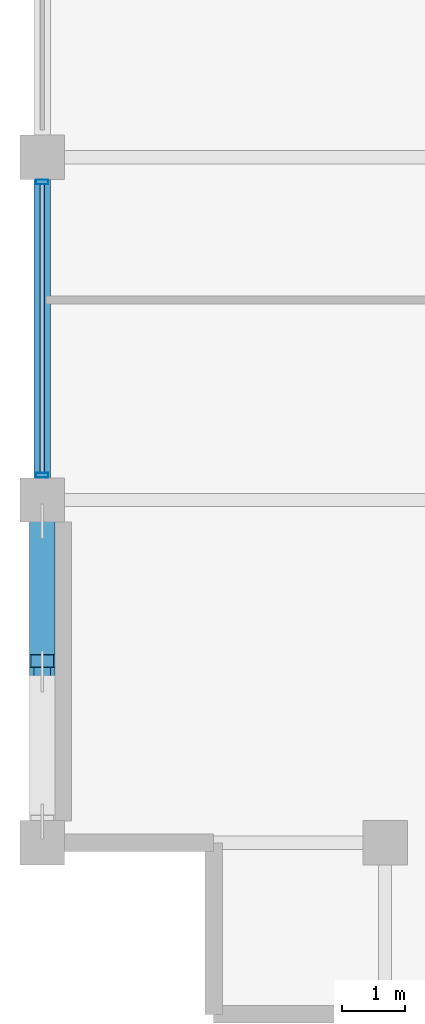
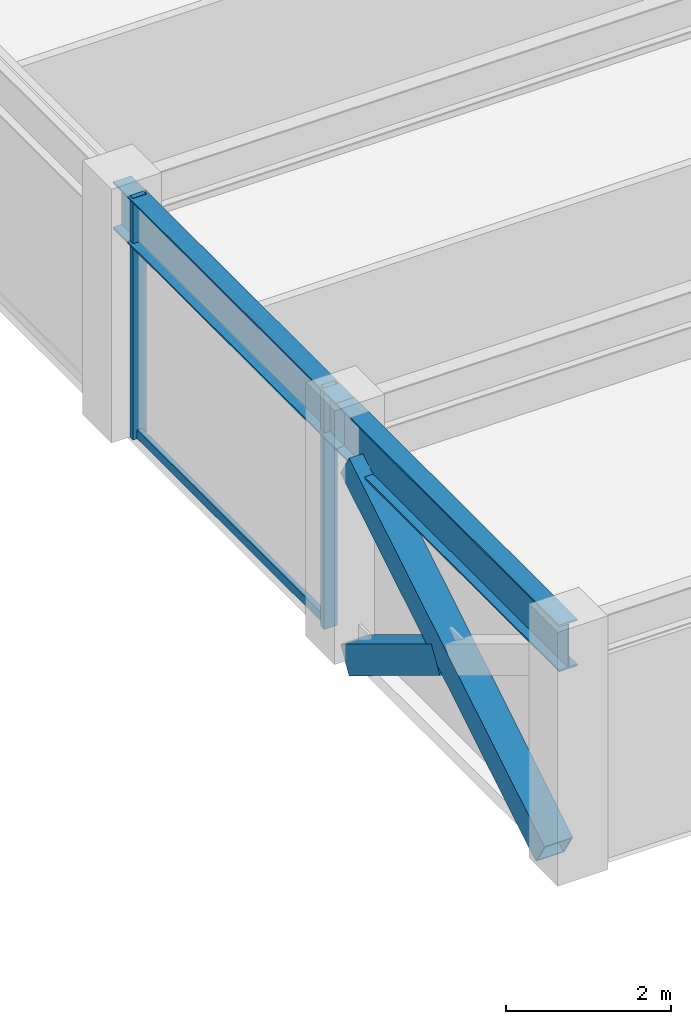
# One storey, part 4 of 31: 5 members, 2 beams, 1 element without a shape of its own.
"""IFC4 building model written with IfcOpenShell, lengths in metres."""

from ifc_helpers import new_model, si_unit, direction, frame, origin, origin_2d, place, context, subcontext, project, spatial, hollow_rectangle, i_section, extrude, material, layer, layer_set, material_profile, profile_set, type_object, element, aggregate, save


model = new_model("IFC4")

# Units and contexts
model_context = context("Model", 3, precision=1e-05, world=origin(), true_north=direction((0.0, 1.0)))
body_context = subcontext(model_context, "Body", "Model", "MODEL_VIEW")
ifc_project = project(units=[si_unit("LENGTHUNIT", "METRE"), si_unit("AREAUNIT", "SQUARE_METRE"), si_unit("VOLUMEUNIT", "CUBIC_METRE"), si_unit("PLANEANGLEUNIT", "RADIAN"), si_unit("MASSUNIT", "GRAM", prefix="KILO")], contexts=[model_context])

# Site, building, storey
site_placement = place(None, origin())
site = spatial("IfcSite", under=ifc_project, at=site_placement, CompositionType="ELEMENT")
building_placement = place(site_placement, origin())
building = spatial("IfcBuilding", under=site, at=building_placement, Name="Surkhivell Harbour Commons", CompositionType="ELEMENT")
storey_placement = place(building_placement, frame((0.0, 0.0, 285.0)))
storey = spatial("IfcBuildingStorey", under=building, at=storey_placement, Name="L74", CompositionType="ELEMENT", Elevation=285.0)

# Beams
ifc_material_1 = material(Name="Steel S355", Category="steel")
ifc_material_profile_1 = material_profile(ifc_material_1, i_section(OverallWidth=0.256103515625, OverallDepth=0.693115234375, WebThickness=0.014404296875, FlangeThickness=0.023681640625, at=origin_2d()), Name="UB686x254x170")
ifc_profile_set_1 = profile_set([ifc_material_profile_1], Name="Steel S355")
beam_type = type_object("IfcBeamType", Name="BM-SPN-686", PredefinedType="SPANDREL", material=ifc_profile_set_1)
beam_1_placement = place(storey_placement, frame((-27.0, -16.199951171875, 3.223388671875), z_axis=(0.0, 1.0, 0.0), x_axis=(-1.0, 0.0, 0.0)))
element("IfcBeam", 1, at=beam_1_placement, inside=storey, type_object=beam_type, Name="L74 Tube Spandrel (-27.0,-16.2)", PredefinedType="SPANDREL", context=body_context, shape_type="SweptSolid", body=[
    extrude(i_section(OverallWidth=0.256103515625, OverallDepth=0.693115234375, WebThickness=0.014404296875, FlangeThickness=0.023681640625, at=origin_2d()), origin(), (0.0, 0.0, 1.0), 5.39990234375),
])
beam_2_placement = place(storey_placement, frame((-27.0, -10.800048828125, 3.223388671875), z_axis=(0.0, 1.0, 0.0), x_axis=(-1.0, 0.0, 0.0)))
element("IfcBeam", 2, at=beam_2_placement, inside=storey, type_object=beam_type, Name="L74 Tube Spandrel (-27.0,-10.8)", PredefinedType="SPANDREL", context=body_context, shape_type="SweptSolid", body=[
    extrude(i_section(OverallWidth=0.256103515625, OverallDepth=0.693115234375, WebThickness=0.014404296875, FlangeThickness=0.023681640625, at=origin_2d()), origin(), (0.0, 0.0, 1.0), 5.400146484375),
])

# Curtain wall, members
ifc_material_2 = material(Name="Anodised pale-metal aluminium and insulated glazing", Category="aluminium")
ifc_layer = layer(ifc_material_2, 0.175048828125)
ifc_layer_set = layer_set([ifc_layer], Name="Anodised pale-metal aluminium and insulated glazing")
curtain_wall_type = type_object("IfcCurtainWallType", Name="CW-SYS-Z4", PredefinedType="NOTDEFINED", material=ifc_layer_set)
curtain_wall_placement = place(storey_placement, origin())
curtain_wall = element("IfcCurtainWall", 3, at=curtain_wall_placement, inside=storey, type_object=curtain_wall_type, Name="L74 Curtain Wall CW-L74-E12S1", PredefinedType="NOTDEFINED")
ifc_material_3 = material(Name="Anodised pale-metal aluminium alloy 6063-T6", Category="aluminium")
ifc_material_profile_2 = material_profile(ifc_material_3, hollow_rectangle(XDim=0.074951171875, YDim=0.18994140625, WallThickness=0.00390625, at=origin_2d()), Name="ALU-MULL-75x190")
ifc_profile_set_2 = profile_set([ifc_material_profile_2], Name="Anodised pale-metal aluminium alloy 6063-T6")
member_type_1 = type_object("IfcMemberType", Name="CWM-190", PredefinedType="MULLION", material=ifc_profile_set_2)
member_1_placement = place(storey_placement, frame((-27.0, -5.78955078125, 0.0), z_axis=(0.0, 0.0, 1.0), x_axis=(0.0, -1.0, 0.0)))
member_1 = element("IfcMember", 4, at=member_1_placement, type_object=member_type_1, Name="CW-Z4 mullion 6", PredefinedType="MULLION", context=body_context, shape_type="SweptSolid", body=[
    extrude(hollow_rectangle(XDim=0.074951171875, YDim=0.18994140625, WallThickness=0.00390625, at=origin_2d()), origin(), (0.0, 0.0, 1.0), 3.570068359375),
])
member_2_placement = place(storey_placement, frame((-27.0, -10.410400390625, 0.0), z_axis=(0.0, 0.0, 1.0), x_axis=(0.0, -1.0, 0.0)))
member_2 = element("IfcMember", 5, at=member_2_placement, type_object=member_type_1, Name="CW-Z4 mullion 7", PredefinedType="MULLION", context=body_context, shape_type="SweptSolid", body=[
    extrude(hollow_rectangle(XDim=0.074951171875, YDim=0.18994140625, WallThickness=0.00390625, at=origin_2d()), origin(), (0.0, 0.0, 1.0), 3.570068359375),
])
ifc_material_4 = material(Name="Champagne anodised aluminium alloy 6063-T6", Category="aluminium")
ifc_material_profile_3 = material_profile(ifc_material_4, hollow_rectangle(XDim=0.070068359375, YDim=0.1298828125, WallThickness=0.00341796875, at=origin_2d()), Name="ALU-TRAN-70x130")
ifc_profile_set_3 = profile_set([ifc_material_profile_3], Name="Champagne anodised aluminium alloy 6063-T6")
member_type_2 = type_object("IfcMemberType", Name="CWT-130", PredefinedType="USERDEFINED", material=ifc_profile_set_3)
member_3_placement = place(storey_placement, frame((-27.0, -5.826904296875, 0.06494140625), z_axis=(0.0, -1.0, 0.0), x_axis=(1.0, 0.0, 0.0)))
member_3 = element("IfcMember", 6, at=member_3_placement, type_object=member_type_2, Name="CW-Z4 transom 6.1", ObjectType="TRANSOM", PredefinedType="USERDEFINED", context=body_context, shape_type="SweptSolid", body=[
    extrude(hollow_rectangle(XDim=0.070068359375, YDim=0.1298828125, WallThickness=0.00341796875, at=origin_2d()), origin(), (0.0, 0.0, 1.0), 4.546142578125),
])
aggregate(curtain_wall, [member_1, member_2, member_3])

# Members
ifc_material_5 = material(Name="Steel S460", Category="steel")
ifc_material_profile_4 = material_profile(ifc_material_5, hollow_rectangle(XDim=0.39990234375, YDim=0.39990234375, WallThickness=0.02001953125, at=origin_2d()), Name="SHS400x400x20")
ifc_profile_set_4 = profile_set([ifc_material_profile_4], Name="Steel S460")
member_type_3 = type_object("IfcMemberType", Name="MEM-BRC-SHS400", PredefinedType="BRACE", material=ifc_profile_set_4)
member_4_placement = place(storey_placement, frame((-27.0, -15.864990234375, 0.008056640625), z_axis=(0.0, 0.854685454322, 0.519146197299), x_axis=(-1.0, 0.0, 0.0)))
element("IfcMember", 7, at=member_4_placement, inside=storey, type_object=member_type_3, Name="L74 Perimeter Mega-Brace MB- 10", PredefinedType="BRACE", context=body_context, shape_type="SweptSolid", body=[
    extrude(hollow_rectangle(XDim=0.39990234375, YDim=0.39990234375, WallThickness=0.02001953125, at=origin_2d()), origin(), (0.0, 0.0, 1.0), 5.5341796875),
])
member_5_placement = place(storey_placement, frame((-27.0, -11.135009765625, 0.008056640625), z_axis=(0.0, -0.854719912157, 0.519089464122), x_axis=(1.0, 0.0, 0.0)))
element("IfcMember", 8, at=member_5_placement, inside=storey, type_object=member_type_3, Name="L74 Perimeter Mega-Brace MB- 11", PredefinedType="BRACE", context=body_context, shape_type="SweptSolid", body=[
    extrude(hollow_rectangle(XDim=0.39990234375, YDim=0.39990234375, WallThickness=0.02001953125, at=origin_2d()), origin(), (0.0, 0.0, 1.0), 2.574951171875),
])

save(model, "model.ifc")
